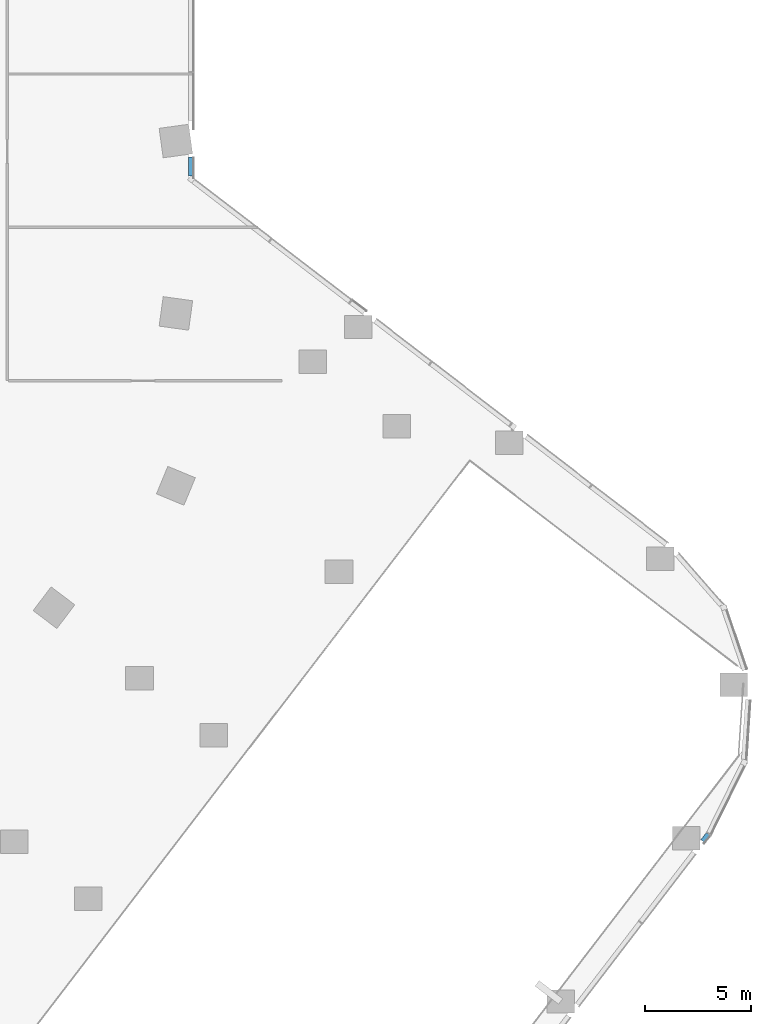
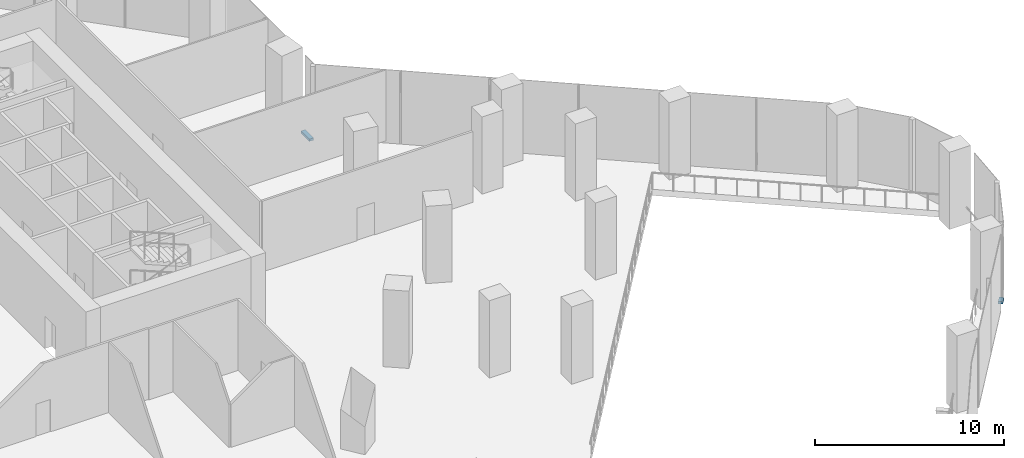
# One storey, part 13 of 29: 2 members, 2 elements without a shape of their own.
"""IFC4 building model written with IfcOpenShell, lengths in metres."""

from ifc_helpers import new_model, si_unit, direction, frame, origin, origin_2d, place, context, subcontext, project, spatial, rectangle, extrude, material, material_profile, profile_set, type_object, element, aggregate, save


model = new_model("IFC4")

# Units and contexts
model_context = context("Model", 3, precision=1e-05, world=origin(), true_north=direction((0.0, 1.0)))
body_context = subcontext(model_context, "Body", "Model", "MODEL_VIEW")
ifc_project = project(units=[si_unit("LENGTHUNIT", "METRE"), si_unit("AREAUNIT", "SQUARE_METRE"), si_unit("VOLUMEUNIT", "CUBIC_METRE"), si_unit("PLANEANGLEUNIT", "RADIAN"), si_unit("MASSUNIT", "GRAM", prefix="KILO")], contexts=[model_context])

# Site, building, storey
site_placement = place(None, origin())
site = spatial("IfcSite", under=ifc_project, at=site_placement, CompositionType="ELEMENT")
building_placement = place(site_placement, origin())
building = spatial("IfcBuilding", under=site, at=building_placement, Name="Orlundy Tower", CompositionType="ELEMENT")
storey_placement = place(building_placement, frame((0.0, 0.0, 15.5)))
storey = spatial("IfcBuildingStorey", under=building, at=storey_placement, Name="L02", CompositionType="ELEMENT", Elevation=15.5)

# Curtain wall, member
ifc_material_1 = material(Name="Aluminium bronze anodised", Category="aluminium")
curtain_wall_type = type_object("IfcCurtainWallType", Name="CW2 wall", PredefinedType="NOTDEFINED", material=ifc_material_1)
curtain_wall_1_placement = place(storey_placement, origin())
curtain_wall_1 = element("IfcCurtainWall", 1, at=curtain_wall_1_placement, inside=storey, type_object=curtain_wall_type, Name="CW2 run 017", PredefinedType="NOTDEFINED")
ifc_material_2 = material(Name="Aluminium bronze anodised", Category="aluminium")
ifc_material_profile = material_profile(ifc_material_2, rectangle(XDim=0.25, YDim=0.14990234375, at=origin_2d()), Name="CW2 transom 250x150")
ifc_profile_set = profile_set([ifc_material_profile], Name="Aluminium bronze anodised")
member_type = type_object("IfcMemberType", Name="CW2 transom 250x150", PredefinedType="USERDEFINED", material=ifc_profile_set)
member_1_placement = place(storey_placement, frame((30.125, 3.301025390625, -0.324951171875), z_axis=(0.0, -1.0, 0.0), x_axis=(1.0, 0.0, 0.0)))
member_1 = element("IfcMember", 2, at=member_1_placement, type_object=member_type, Name="CW2 transom", ObjectType="TRANSOM", PredefinedType="USERDEFINED", context=body_context, shape_type="SweptSolid", body=[
    extrude(rectangle(XDim=0.25, YDim=0.14990234375, at=origin_2d()), origin(), (0.0, 0.0, 1.0), 0.891845703125),
])
aggregate(curtain_wall_1, [member_1])

curtain_wall_2_placement = place(storey_placement, origin())
curtain_wall_2 = element("IfcCurtainWall", 3, at=curtain_wall_2_placement, inside=storey, type_object=curtain_wall_type, Name="CW2 run 023", PredefinedType="NOTDEFINED")
member_2_placement = place(storey_placement, frame((54.4814453125, -28.586181640625, -0.324951171875), z_axis=(-0.608750379399, -0.793361818833, 0.0), x_axis=(0.793361818833, -0.608750379399, 0.0)))
member_2 = element("IfcMember", 4, at=member_2_placement, type_object=member_type, Name="CW2 transom", ObjectType="TRANSOM", PredefinedType="USERDEFINED", context=body_context, shape_type="SweptSolid", body=[
    extrude(rectangle(XDim=0.25, YDim=0.14990234375, at=origin_2d()), origin(), (0.0, 0.0, 1.0), 0.41796875),
])
aggregate(curtain_wall_2, [member_2])

save(model, "model.ifc")
